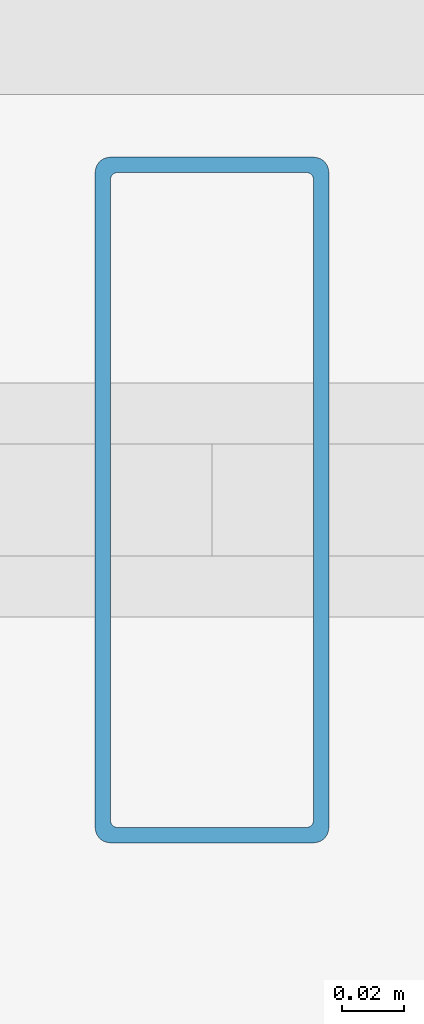
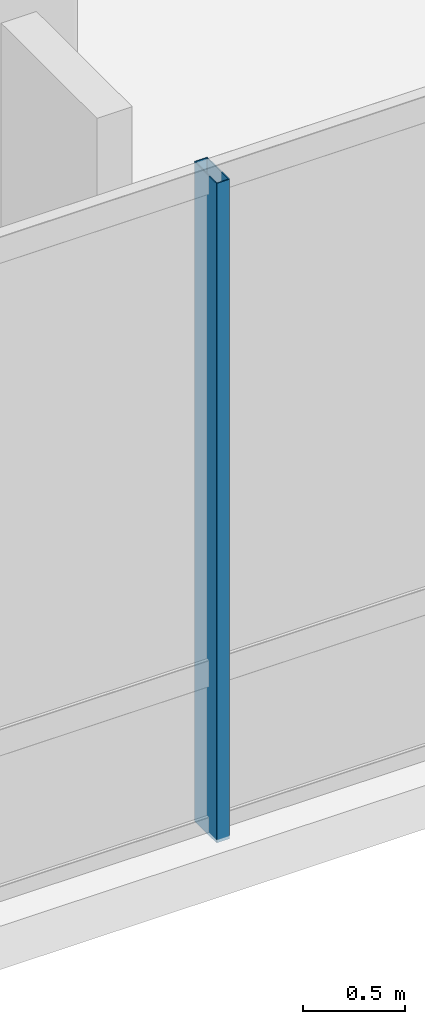
# One storey, part 8 of 20: 1 member, 1 element without a shape of its own.
"""IFC4 building model written with IfcOpenShell, lengths in metres."""

from ifc_helpers import new_model, si_unit, direction, frame, origin, origin_2d, place, context, subcontext, project, spatial, hollow_rectangle, extrude, material, material_profile, profile_set, type_object, element, aggregate, save


model = new_model("IFC4")

# Units and contexts
model_context = context("Model", 3, precision=1e-05, world=origin(), true_north=direction((0.0, 1.0)))
body_context = subcontext(model_context, "Body", "Model", "MODEL_VIEW")
ifc_project = project(units=[si_unit("LENGTHUNIT", "METRE"), si_unit("AREAUNIT", "SQUARE_METRE"), si_unit("VOLUMEUNIT", "CUBIC_METRE"), si_unit("PLANEANGLEUNIT", "RADIAN"), si_unit("MASSUNIT", "GRAM", prefix="KILO")], contexts=[model_context])

# Site, building, storey
site_placement = place(None, origin())
site = spatial("IfcSite", under=ifc_project, at=site_placement, CompositionType="ELEMENT")
building_placement = place(site_placement, origin())
building = spatial("IfcBuilding", under=site, at=building_placement, Name="Noeulbin Bourse Tower", CompositionType="ELEMENT")
storey_placement = place(building_placement, frame((0.0, 0.0, 312.60009765625)))
storey = spatial("IfcBuildingStorey", under=building, at=storey_placement, Name="L77", CompositionType="ELEMENT", Elevation=312.60009765625)

# Curtain wall, member
ifc_material_1 = material(Name="High-Selectivity Low-Iron Glazing", Category="glass")
curtain_wall_type = type_object("IfcCurtainWallType", Name="CW-SYS-4", PredefinedType="NOTDEFINED", material=ifc_material_1)
curtain_wall_placement = place(storey_placement, origin())
curtain_wall = element("IfcCurtainWall", 1, at=curtain_wall_placement, inside=storey, type_object=curtain_wall_type, Name="Unitised Curtain Wall CW-L77-S1", PredefinedType="NOTDEFINED")
ifc_material_2 = material(Name="Anodised Aluminium 6063-T6", Category="aluminium")
ifc_material_profile = material_profile(ifc_material_2, hollow_rectangle(XDim=0.074951171875, YDim=0.219970703125, WallThickness=0.0048828125, InnerFilletRadius=0.00244140625, OuterFilletRadius=0.0048828125, at=origin_2d()), Name="ALU-MULL-75x220x5", Category="LoadBearing")
ifc_profile_set = profile_set([ifc_material_profile], Name="Anodised Aluminium 6063-T6")
member_type = type_object("IfcMemberType", Name="CW-SYS-4-MUL", PredefinedType="MULLION", material=ifc_profile_set)
member_placement = place(storey_placement, frame((31.5, 18.6201171875, -0.02001953125), z_axis=(0.0, 0.0, 1.0), x_axis=(1.0, 0.0, 0.0)))
member = element("IfcMember", 2, at=member_placement, type_object=member_type, Name="Curtain Wall Mullion CW-L77-S1-M04", PredefinedType="MULLION", context=body_context, shape_type="SweptSolid", body=[
    extrude(hollow_rectangle(XDim=0.074951171875, YDim=0.219970703125, WallThickness=0.0048828125, InnerFilletRadius=0.00244140625, OuterFilletRadius=0.0048828125, at=origin_2d()), origin(), (0.0, 0.0, 1.0), 3.949951171875),
])
aggregate(curtain_wall, [member])

save(model, "model.ifc")
